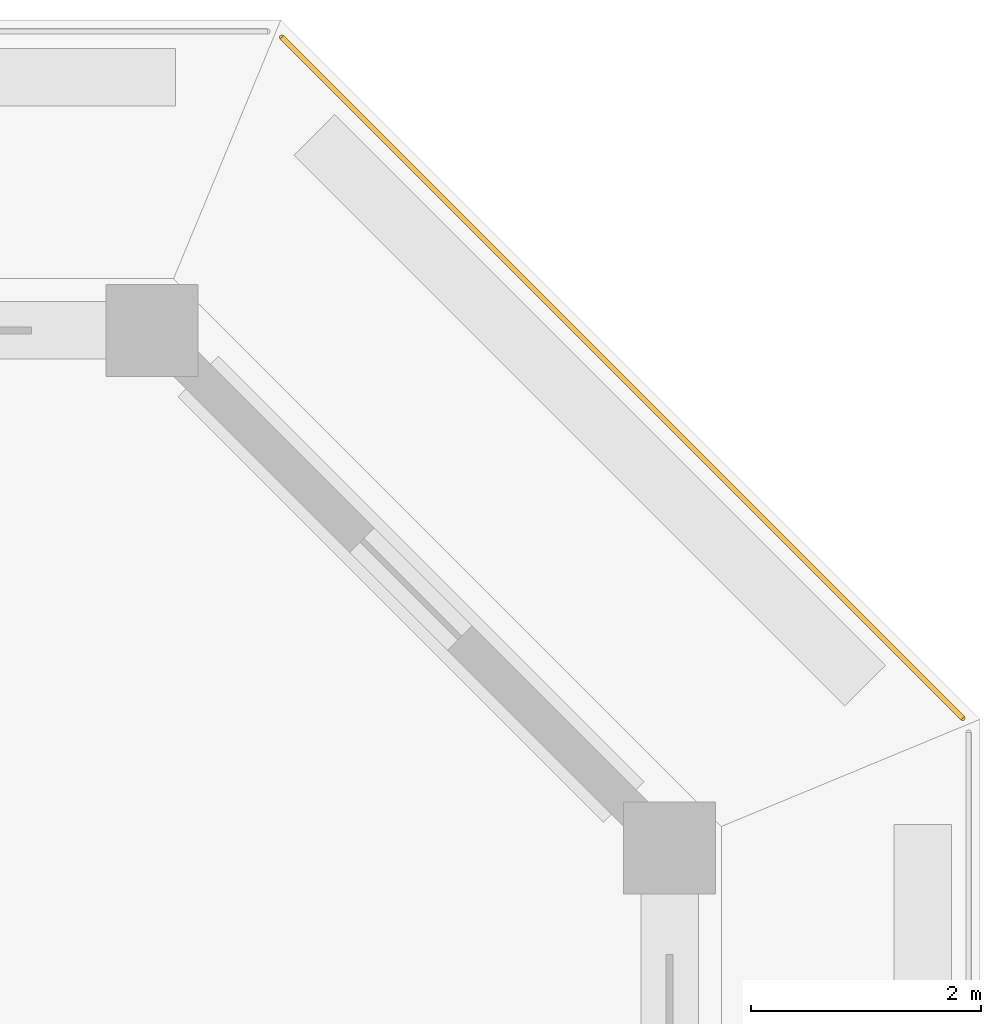
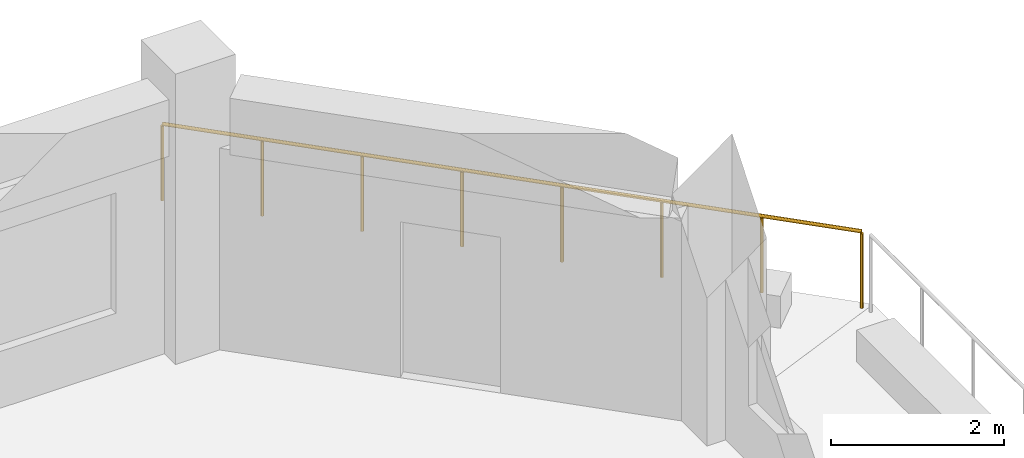
# One storey, part 13 of 14: 1 railing.
"""IFC4 building model written with IfcOpenShell, lengths in metres."""

from ifc_helpers import new_model, si_unit, direction, frame, origin, origin_2d, place, context, subcontext, project, spatial, circle, extrude, material, type_object, element, save


model = new_model("IFC4")

# Units and contexts
model_context = context("Model", 3, precision=1e-05, world=origin(), true_north=direction((0.0, 1.0)))
body_context = subcontext(model_context, "Body", "Model", "MODEL_VIEW")
ifc_project = project(units=[si_unit("LENGTHUNIT", "METRE"), si_unit("AREAUNIT", "SQUARE_METRE"), si_unit("VOLUMEUNIT", "CUBIC_METRE"), si_unit("PLANEANGLEUNIT", "RADIAN"), si_unit("MASSUNIT", "GRAM", prefix="KILO")], contexts=[model_context])

# Site, building, storey
site_placement = place(None, origin())
site = spatial("IfcSite", under=ifc_project, at=site_placement, CompositionType="ELEMENT")
building_placement = place(site_placement, origin())
building = spatial("IfcBuilding", under=site, at=building_placement, Name="Corbel Stack Research Tower", CompositionType="ELEMENT")
storey_placement = place(building_placement, frame((0.0, 0.0, 270.39990234375)))
storey = spatial("IfcBuildingStorey", under=building, at=storey_placement, Name="L61", CompositionType="ELEMENT", Elevation=270.39990234375)

# Railing
ifc_material = material(Name="Powder-coated steel guard", Category="steel")
railing_type = type_object("IfcRailingType", Name="Steel and glass guard 1100", PredefinedType="GUARDRAIL", material=ifc_material)
railing_placement = place(storey_placement, frame((25.04931640625, 23.627685546875, 0.0)))
element("IfcRailing", 1, at=railing_placement, inside=storey, type_object=railing_type, Name="Loggia guard L61 NE", PredefinedType="GUARDRAIL", context=body_context, shape_type="SweptSolid", body=[
    extrude(circle(Radius=0.02392578125, at=origin_2d()), frame((0.0, 0.0, 1.076171875), z_axis=(-0.707106781187, 0.707106781187, 0.0), x_axis=(-0.707106781187, -0.707106781187, 0.0)), (0.0, 0.0, 1.0), 8.37451171875),
    extrude(circle(Radius=0.02099609375, at=origin_2d()), origin(), (0.0, 0.0, 1.0), 1.052001953125),
    extrude(circle(Radius=0.02099609375, at=origin_2d()), frame((-0.845947265625, 0.845947265625, 0.0)), (0.0, 0.0, 1.0), 1.052001953125),
    extrude(circle(Radius=0.02099609375, at=origin_2d()), frame((-1.69189453125, 1.69189453125, 0.0)), (0.0, 0.0, 1.0), 1.052001953125),
    extrude(circle(Radius=0.02099609375, at=origin_2d()), frame((-2.537841796875, 2.537841796875, 0.0)), (0.0, 0.0, 1.0), 1.052001953125),
    extrude(circle(Radius=0.02099609375, at=origin_2d()), frame((-3.3837890625, 3.3837890625, 0.0)), (0.0, 0.0, 1.0), 1.052001953125),
    extrude(circle(Radius=0.02099609375, at=origin_2d()), frame((-4.229736328125, 4.229736328125, 0.0)), (0.0, 0.0, 1.0), 1.052001953125),
    extrude(circle(Radius=0.02099609375, at=origin_2d()), frame((-5.07568359375, 5.07568359375, 0.0)), (0.0, 0.0, 1.0), 1.052001953125),
    extrude(circle(Radius=0.02099609375, at=origin_2d()), frame((-5.921630859375, 5.921630859375, 0.0)), (0.0, 0.0, 1.0), 1.052001953125),
])

save(model, "model.ifc")
